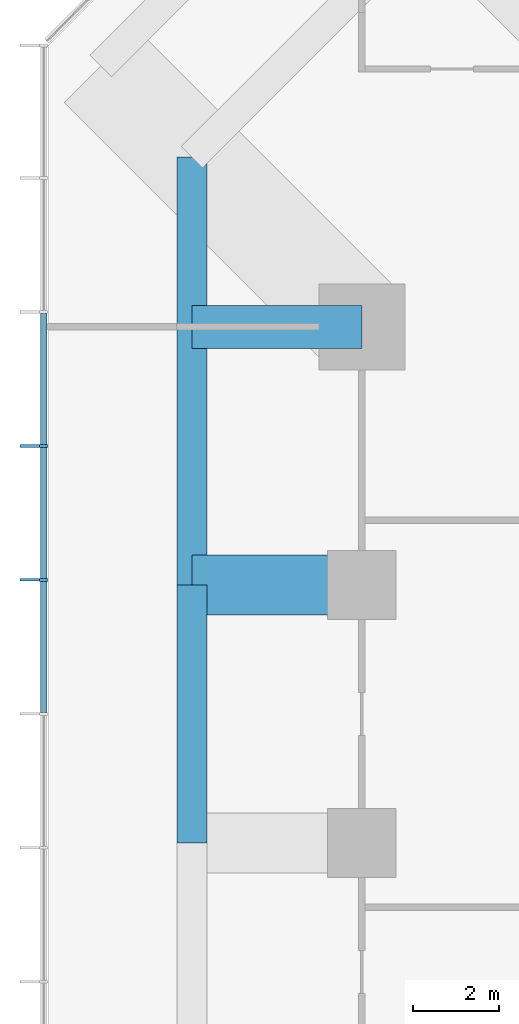
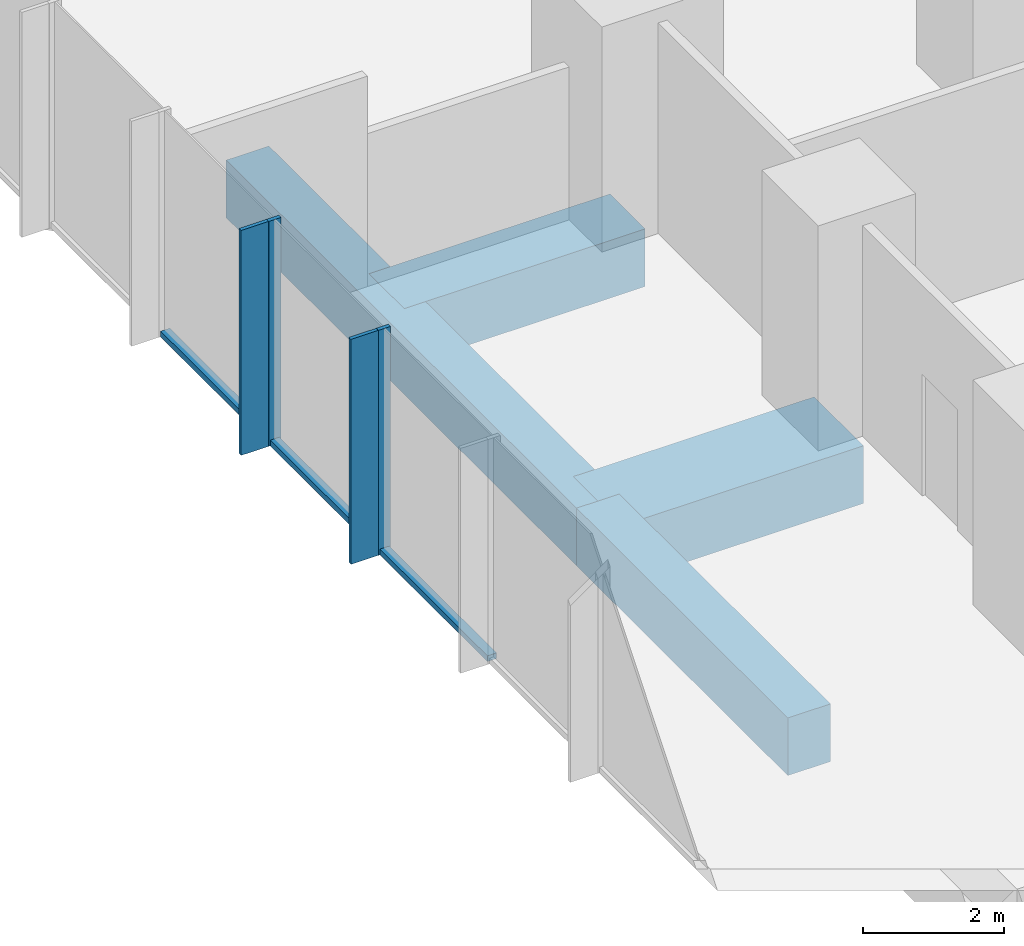
# One storey, part 3 of 12: 7 members, 4 beams, 1 element without a shape of its own.
"""IFC4 building model written with IfcOpenShell, lengths in metres."""

from ifc_helpers import new_model, si_unit, direction, frame, origin, origin_2d, place, context, subcontext, project, spatial, rectangle, extrude, material, layer, layer_set, material_profile, profile_set, type_object, element, aggregate, save


model = new_model("IFC4")

# Units and contexts
model_context = context("Model", 3, precision=1e-05, world=origin(), true_north=direction((0.0, 1.0)))
body_context = subcontext(model_context, "Body", "Model", "MODEL_VIEW")
ifc_project = project(units=[si_unit("LENGTHUNIT", "METRE"), si_unit("AREAUNIT", "SQUARE_METRE"), si_unit("VOLUMEUNIT", "CUBIC_METRE"), si_unit("PLANEANGLEUNIT", "RADIAN"), si_unit("MASSUNIT", "GRAM", prefix="KILO")], contexts=[model_context])

# Site, building, storey
site_placement = place(None, origin())
site = spatial("IfcSite", under=ifc_project, at=site_placement, CompositionType="ELEMENT")
building_placement = place(site_placement, origin())
building = spatial("IfcBuilding", under=site, at=building_placement, Name="Highveld Stack Headquarters", CompositionType="ELEMENT")
storey_placement = place(building_placement, frame((0.0, 0.0, 101.60009765625)))
storey = spatial("IfcBuildingStorey", under=building, at=storey_placement, Name="L24", CompositionType="ELEMENT", Elevation=101.60009765625)

# Beams
ifc_material_1 = material(Name="Concrete C60/75", Category="concrete")
ifc_material_profile_1 = material_profile(ifc_material_1, rectangle(XDim=1.0, YDim=1.0, at=origin_2d()), Name="RC 1000x1000")
ifc_profile_set_1 = profile_set([ifc_material_profile_1], Name="Concrete C60/75")
beam_type_1 = type_object("IfcBeamType", Name="CANTILEVER RIB RC 1000x1000", PredefinedType="USERDEFINED", material=ifc_profile_set_1)
beam_1_placement = place(storey_placement, frame((-18.0, 18.0, -0.75), z_axis=(-1.0, 0.0, 0.0), x_axis=(0.0, -1.0, 0.0)))
element("IfcBeam", 1, at=beam_1_placement, inside=storey, type_object=beam_type_1, Name="Cantilever rib 3/H L24", ObjectType="CANTILEVER RIB", PredefinedType="USERDEFINED", context=body_context, shape_type="SweptSolid", body=[
    extrude(rectangle(XDim=1.0, YDim=1.0, at=origin_2d()), origin(), (0.0, 0.0, 1.0), 3.949951171875),
])
ifc_material_2 = material(Name="Concrete C60/75", Category="concrete")
ifc_material_profile_2 = material_profile(ifc_material_2, rectangle(XDim=1.39990234375, YDim=1.0, at=origin_2d()), Name="RC 1400x1000")
ifc_profile_set_2 = profile_set([ifc_material_profile_2], Name="Concrete C60/75")
beam_type_2 = type_object("IfcBeamType", Name="CANTILEVER RIB RC 1400x1000", PredefinedType="USERDEFINED", material=ifc_profile_set_2)
beam_2_placement = place(storey_placement, frame((-18.0, 12.0, -0.75), z_axis=(-1.0, 0.0, 0.0), x_axis=(0.0, -1.0, 0.0)))
element("IfcBeam", 2, at=beam_2_placement, inside=storey, type_object=beam_type_2, Name="Cantilever rib 3/G L24", ObjectType="CANTILEVER RIB", PredefinedType="USERDEFINED", context=body_context, shape_type="SweptSolid", body=[
    extrude(rectangle(XDim=1.39990234375, YDim=1.0, at=origin_2d()), origin(), (0.0, 0.0, 1.0), 3.949951171875),
])

# Curtain wall, members
ifc_material_3 = material(Name="Aluminium bronze anodised", Category="aluminium")
ifc_layer = layer(ifc_material_3, 0.199951171875)
ifc_layer_set = layer_set([ifc_layer], Name="Aluminium bronze anodised")
curtain_wall_type = type_object("IfcCurtainWallType", Name="CW1 TOWER UNITISED CURTAIN WALL", PredefinedType="NOTDEFINED", material=ifc_layer_set)
curtain_wall_placement = place(storey_placement, origin())
curtain_wall = element("IfcCurtainWall", 3, at=curtain_wall_placement, inside=storey, type_object=curtain_wall_type, Name="Curtain wall CW1 L24 W", PredefinedType="NOTDEFINED")
ifc_material_4 = material(Name="Aluminium bronze anodised", Category="aluminium")
ifc_material_profile_3 = material_profile(ifc_material_4, rectangle(XDim=0.449951171875, YDim=0.06005859375, at=origin_2d()), Name="FIN 450x60")
ifc_profile_set_3 = profile_set([ifc_material_profile_3], Name="Aluminium bronze anodised")
member_type_1 = type_object("IfcMemberType", Name="CW1 BRONZE FIN 450x60", PredefinedType="USERDEFINED", material=ifc_profile_set_3)
member_1_placement = place(storey_placement, frame((-25.72509765625, 15.23193359375, 0.0), z_axis=(0.0, 0.0, 1.0), x_axis=(1.0, 0.0, 0.0)))
member_1 = element("IfcMember", 4, at=member_1_placement, type_object=member_type_1, Name="CW1 fin L24 4", ObjectType="FIN", PredefinedType="USERDEFINED", context=body_context, shape_type="SweptSolid", body=[
    extrude(rectangle(XDim=0.449951171875, YDim=0.06005859375, at=origin_2d()), origin(), (0.0, 0.0, 1.0), 3.89990234375),
])
member_2_placement = place(storey_placement, frame((-25.72509765625, 12.115966796875, 0.0), z_axis=(0.0, 0.0, 1.0), x_axis=(1.0, 0.0, 0.0)))
member_2 = element("IfcMember", 5, at=member_2_placement, type_object=member_type_1, Name="CW1 fin L24 5", ObjectType="FIN", PredefinedType="USERDEFINED", context=body_context, shape_type="SweptSolid", body=[
    extrude(rectangle(XDim=0.449951171875, YDim=0.06005859375, at=origin_2d()), origin(), (0.0, 0.0, 1.0), 3.89990234375),
])
ifc_material_5 = material(Name="Aluminium bronze anodised", Category="aluminium")
ifc_material_profile_4 = material_profile(ifc_material_5, rectangle(XDim=0.199951171875, YDim=0.06494140625, at=origin_2d()), Name="CW1 MULLION 65x200")
ifc_profile_set_4 = profile_set([ifc_material_profile_4], Name="Aluminium bronze anodised")
member_type_2 = type_object("IfcMemberType", Name="CW1 MULLION 65x200", PredefinedType="MULLION", material=ifc_profile_set_4)
member_3_placement = place(storey_placement, frame((-25.39990234375, 15.23193359375, 0.0), z_axis=(0.0, 0.0, 1.0), x_axis=(1.0, 0.0, 0.0)))
member_3 = element("IfcMember", 6, at=member_3_placement, type_object=member_type_2, Name="CW1 mullion L24 4", PredefinedType="MULLION", context=body_context, shape_type="SweptSolid", body=[
    extrude(rectangle(XDim=0.199951171875, YDim=0.06494140625, at=origin_2d()), origin(), (0.0, 0.0, 1.0), 3.89990234375),
])
member_4_placement = place(storey_placement, frame((-25.39990234375, 12.115966796875, 0.0), z_axis=(0.0, 0.0, 1.0), x_axis=(1.0, 0.0, 0.0)))
member_4 = element("IfcMember", 7, at=member_4_placement, type_object=member_type_2, Name="CW1 mullion L24 5", PredefinedType="MULLION", context=body_context, shape_type="SweptSolid", body=[
    extrude(rectangle(XDim=0.199951171875, YDim=0.06494140625, at=origin_2d()), origin(), (0.0, 0.0, 1.0), 3.89990234375),
])
ifc_material_6 = material(Name="Aluminium bronze anodised", Category="aluminium")
ifc_material_profile_5 = material_profile(ifc_material_6, rectangle(XDim=0.14990234375, YDim=0.10009765625, at=origin_2d()), Name="CW1 TRANSOM 150x100")
ifc_profile_set_5 = profile_set([ifc_material_profile_5], Name="Aluminium bronze anodised")
member_type_3 = type_object("IfcMemberType", Name="CW1 STACK TRANSOM 150x100", PredefinedType="USERDEFINED", material=ifc_profile_set_5)
member_5_placement = place(storey_placement, frame((-25.39990234375, 18.3154296875, 0.0498046875), z_axis=(0.0, -1.0, 0.0), x_axis=(1.0, 0.0, 0.0)))
member_5 = element("IfcMember", 8, at=member_5_placement, type_object=member_type_3, Name="CW1 transom L24 3.1", ObjectType="TRANSOM", PredefinedType="USERDEFINED", context=body_context, shape_type="SweptSolid", body=[
    extrude(rectangle(XDim=0.14990234375, YDim=0.10009765625, at=origin_2d()), origin(), (0.0, 0.0, 1.0), 3.051025390625),
])
member_6_placement = place(storey_placement, frame((-25.39990234375, 15.199462890625, 0.0498046875), z_axis=(0.0, -1.0, 0.0), x_axis=(1.0, 0.0, 0.0)))
member_6 = element("IfcMember", 9, at=member_6_placement, type_object=member_type_3, Name="CW1 transom L24 4.1", ObjectType="TRANSOM", PredefinedType="USERDEFINED", context=body_context, shape_type="SweptSolid", body=[
    extrude(rectangle(XDim=0.14990234375, YDim=0.10009765625, at=origin_2d()), origin(), (0.0, 0.0, 1.0), 3.051025390625),
])
member_7_placement = place(storey_placement, frame((-25.39990234375, 12.08349609375, 0.0498046875), z_axis=(0.0, -1.0, 0.0), x_axis=(1.0, 0.0, 0.0)))
member_7 = element("IfcMember", 10, at=member_7_placement, type_object=member_type_3, Name="CW1 transom L24 5.1", ObjectType="TRANSOM", PredefinedType="USERDEFINED", context=body_context, shape_type="SweptSolid", body=[
    extrude(rectangle(XDim=0.14990234375, YDim=0.10009765625, at=origin_2d()), origin(), (0.0, 0.0, 1.0), 3.051025390625),
])
aggregate(curtain_wall, [member_3, member_1, member_4, member_2, member_5, member_6, member_7])

# Beams
ifc_material_7 = material(Name="Concrete C60/75", Category="concrete")
ifc_material_profile_6 = material_profile(ifc_material_7, rectangle(XDim=0.699951171875, YDim=1.0, at=origin_2d()), Name="RC 700x1000")
ifc_profile_set_6 = profile_set([ifc_material_profile_6], Name="Concrete C60/75")
beam_type_3 = type_object("IfcBeamType", Name="RIB TIP BEAM RC 700x1000", PredefinedType="SPANDREL", material=ifc_profile_set_6)
beam_3_placement = place(storey_placement, frame((-21.949951171875, 6.0, -0.75), z_axis=(0.0, 1.0, 0.0), x_axis=(-1.0, 0.0, 0.0)))
element("IfcBeam", 11, at=beam_3_placement, inside=storey, type_object=beam_type_3, Name="Rib tip beam 3/F to 3/G L24", PredefinedType="SPANDREL", context=body_context, shape_type="SweptSolid", body=[
    extrude(rectangle(XDim=0.699951171875, YDim=1.0, at=origin_2d()), origin(), (0.0, 0.0, 1.0), 6.0),
])
beam_4_placement = place(storey_placement, frame((-21.949951171875, 12.0, -0.75), z_axis=(0.0, 1.0, 0.0), x_axis=(-1.0, 0.0, 0.0)))
element("IfcBeam", 12, at=beam_4_placement, inside=storey, type_object=beam_type_3, Name="Rib tip beam 3/G to 3/H L24", PredefinedType="SPANDREL", context=body_context, shape_type="SweptSolid", body=[
    extrude(rectangle(XDim=0.699951171875, YDim=1.0, at=origin_2d()), origin(), (0.0, 0.0, 1.0), 9.949951171875),
])

save(model, "model.ifc")
